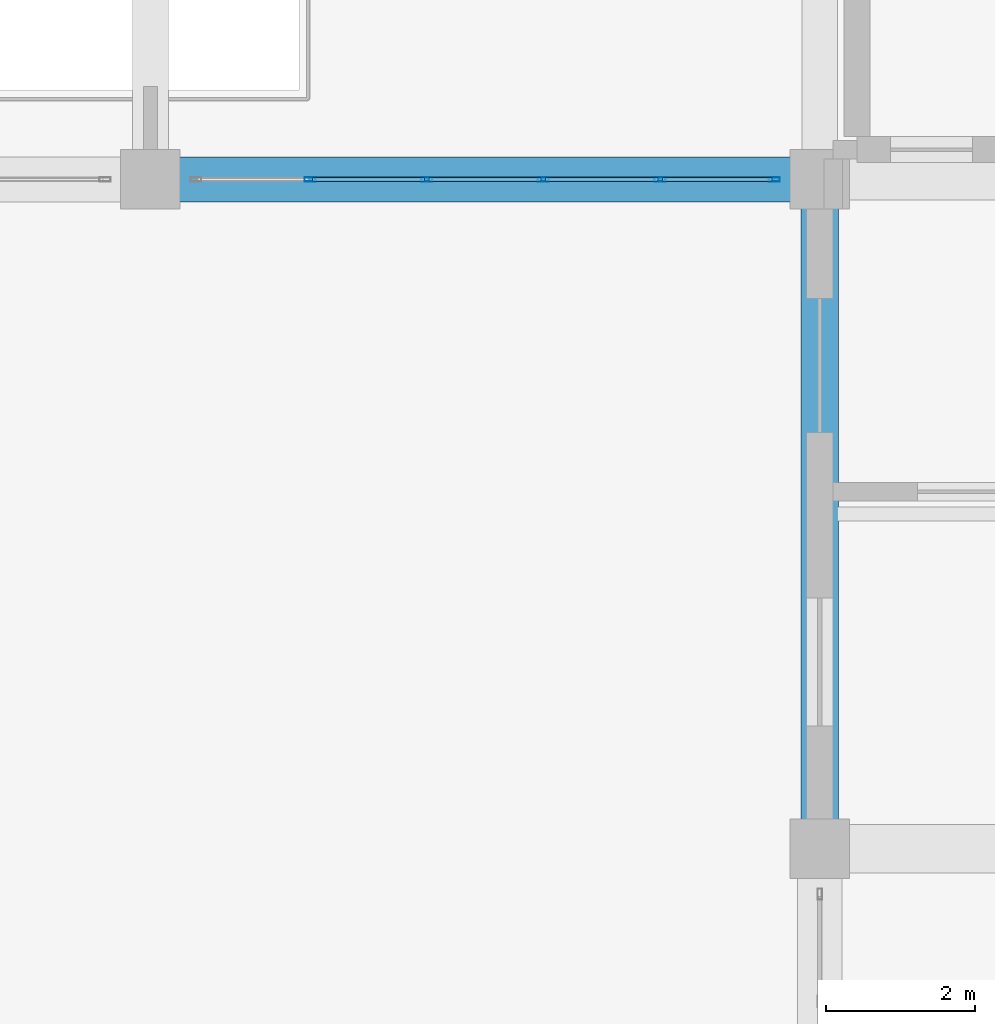
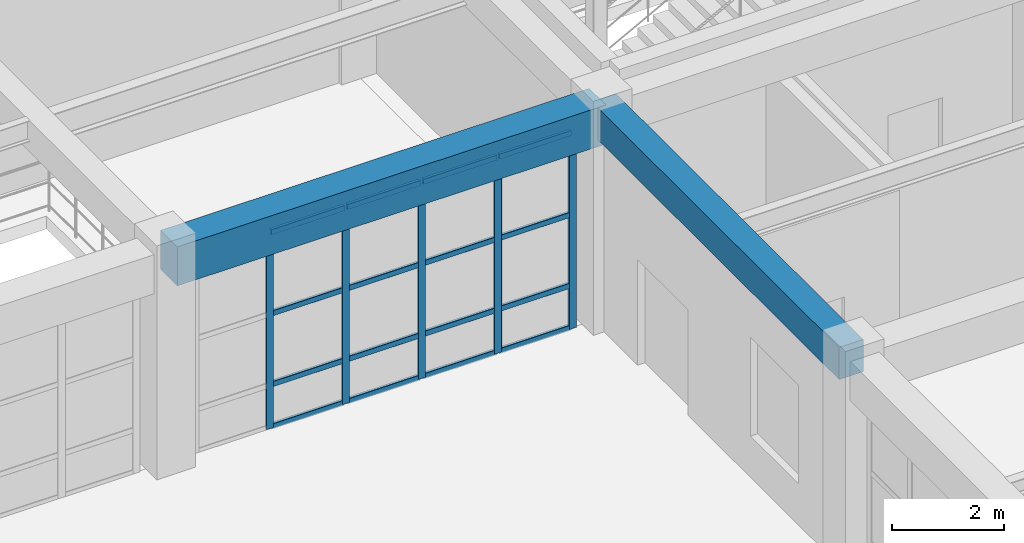
# One storey, part 66 of 128: 21 members, 2 beams, 1 element without a shape of its own.
"""IFC4 building model written with IfcOpenShell, lengths in metres."""

from ifc_helpers import new_model, si_unit, direction, frame, origin, origin_2d, place, context, subcontext, project, spatial, rectangle, hollow_rectangle, extrude, material, material_profile, profile_set, type_object, element, aggregate, save


model = new_model("IFC4")

# Units and contexts
model_context = context("Model", 3, precision=1e-05, world=origin(), true_north=direction((0.0, 1.0)))
body_context = subcontext(model_context, "Body", "Model", "MODEL_VIEW")
ifc_project = project(units=[si_unit("LENGTHUNIT", "METRE"), si_unit("AREAUNIT", "SQUARE_METRE"), si_unit("VOLUMEUNIT", "CUBIC_METRE"), si_unit("PLANEANGLEUNIT", "RADIAN"), si_unit("MASSUNIT", "GRAM", prefix="KILO")], contexts=[model_context])

# Site, building, storey
site_placement = place(None, origin())
site = spatial("IfcSite", under=ifc_project, at=site_placement, CompositionType="ELEMENT")
building_placement = place(site_placement, origin())
building = spatial("IfcBuilding", under=site, at=building_placement, Name="Miravela Opera House", CompositionType="ELEMENT")
storey_placement = place(building_placement, origin())
storey = spatial("IfcBuildingStorey", under=building, at=storey_placement, Name="L00", CompositionType="ELEMENT", Elevation=0.0)

# Curtain wall, members
ifc_material_1 = material(Name="Anodised architectural bronze aluminium 6063-T6", Category="aluminium")
curtain_wall_type = type_object("IfcCurtainWallType", Name="ARC-CW-04", PredefinedType="NOTDEFINED", material=ifc_material_1)
curtain_wall_placement = place(storey_placement, origin())
curtain_wall = element("IfcCurtainWall", 1, at=curtain_wall_placement, inside=storey, type_object=curtain_wall_type, Name="Courtyard Arcade Curtain Wall CW-L00-074", PredefinedType="NOTDEFINED")
ifc_material_profile_1 = material_profile(ifc_material_1, hollow_rectangle(XDim=0.06005859375, YDim=0.14990234375, WallThickness=0.00390625, InnerFilletRadius=0.001953125, OuterFilletRadius=0.00390625, at=origin_2d()), Name="CWM-60X150")
ifc_profile_set_1 = profile_set([ifc_material_profile_1])
member_type_1 = type_object("IfcMemberType", Name="ARC-CWM-150", PredefinedType="MULLION", material=ifc_profile_set_1)
member_1_placement = place(storey_placement, frame((56.14794921875, 103.0, 0.0), z_axis=(0.0, 0.0, 1.0), x_axis=(0.0, 1.0, 0.0)))
member_1 = element("IfcMember", 2, at=member_1_placement, type_object=member_type_1, Name="CW-04 mullion 2", PredefinedType="MULLION", context=body_context, shape_type="SweptSolid", body=[
    extrude(hollow_rectangle(XDim=0.06005859375, YDim=0.14990234375, WallThickness=0.00390625, InnerFilletRadius=0.001953125, OuterFilletRadius=0.00390625, at=origin_2d()), origin(), (0.0, 0.0, 1.0), 4.300048828125),
])
member_2_placement = place(storey_placement, frame((57.716064453125, 103.0, 0.0), z_axis=(0.0, 0.0, 1.0), x_axis=(0.0, 1.0, 0.0)))
member_2 = element("IfcMember", 3, at=member_2_placement, type_object=member_type_1, Name="CW-04 mullion 3", PredefinedType="MULLION", context=body_context, shape_type="SweptSolid", body=[
    extrude(hollow_rectangle(XDim=0.06005859375, YDim=0.14990234375, WallThickness=0.00390625, InnerFilletRadius=0.001953125, OuterFilletRadius=0.00390625, at=origin_2d()), origin(), (0.0, 0.0, 1.0), 4.300048828125),
])
member_3_placement = place(storey_placement, frame((59.283935546875, 103.0, 0.0), z_axis=(0.0, 0.0, 1.0), x_axis=(0.0, 1.0, 0.0)))
member_3 = element("IfcMember", 4, at=member_3_placement, type_object=member_type_1, Name="CW-04 mullion 4", PredefinedType="MULLION", context=body_context, shape_type="SweptSolid", body=[
    extrude(hollow_rectangle(XDim=0.06005859375, YDim=0.14990234375, WallThickness=0.00390625, InnerFilletRadius=0.001953125, OuterFilletRadius=0.00390625, at=origin_2d()), origin(), (0.0, 0.0, 1.0), 4.300048828125),
])
member_4_placement = place(storey_placement, frame((60.85205078125, 103.0, 0.0), z_axis=(0.0, 0.0, 1.0), x_axis=(0.0, 1.0, 0.0)))
member_4 = element("IfcMember", 5, at=member_4_placement, type_object=member_type_1, Name="CW-04 mullion 5", PredefinedType="MULLION", context=body_context, shape_type="SweptSolid", body=[
    extrude(hollow_rectangle(XDim=0.06005859375, YDim=0.14990234375, WallThickness=0.00390625, InnerFilletRadius=0.001953125, OuterFilletRadius=0.00390625, at=origin_2d()), origin(), (0.0, 0.0, 1.0), 4.300048828125),
])
member_5_placement = place(storey_placement, frame((62.389892578125, 103.0, 0.0), z_axis=(0.0, 0.0, 1.0), x_axis=(0.0, 1.0, 0.0)))
member_5 = element("IfcMember", 6, at=member_5_placement, type_object=member_type_1, Name="CW-04 mullion 6", PredefinedType="MULLION", context=body_context, shape_type="SweptSolid", body=[
    extrude(hollow_rectangle(XDim=0.06005859375, YDim=0.14990234375, WallThickness=0.00390625, InnerFilletRadius=0.001953125, OuterFilletRadius=0.00390625, at=origin_2d()), origin(), (0.0, 0.0, 1.0), 4.300048828125),
])
ifc_material_profile_2 = material_profile(ifc_material_1, hollow_rectangle(XDim=0.06005859375, YDim=0.114990234375, WallThickness=0.00390625, InnerFilletRadius=0.001953125, OuterFilletRadius=0.00390625, at=origin_2d()), Name="CWT-60X115")
ifc_profile_set_2 = profile_set([ifc_material_profile_2])
member_type_2 = type_object("IfcMemberType", Name="ARC-CWT-115", PredefinedType="USERDEFINED", material=ifc_profile_set_2)
member_6_placement = place(storey_placement, frame((56.177978515625, 103.0, 0.030029296875), z_axis=(1.0, 0.0, 0.0), x_axis=(0.0, 1.0, 0.0)))
member_6 = element("IfcMember", 7, at=member_6_placement, type_object=member_type_2, Name="CW-04 transom 2.1", ObjectType="TRANSOM", PredefinedType="USERDEFINED", context=body_context, shape_type="SweptSolid", body=[
    extrude(hollow_rectangle(XDim=0.06005859375, YDim=0.114990234375, WallThickness=0.00390625, InnerFilletRadius=0.001953125, OuterFilletRadius=0.00390625, at=origin_2d()), origin(), (0.0, 0.0, 1.0), 1.508056640625),
])
member_7_placement = place(storey_placement, frame((56.177978515625, 103.0, 0.949951171875), z_axis=(1.0, 0.0, 0.0), x_axis=(0.0, 1.0, 0.0)))
member_7 = element("IfcMember", 8, at=member_7_placement, type_object=member_type_2, Name="CW-04 transom 2.2", ObjectType="TRANSOM", PredefinedType="USERDEFINED", context=body_context, shape_type="SweptSolid", body=[
    extrude(hollow_rectangle(XDim=0.06005859375, YDim=0.114990234375, WallThickness=0.00390625, InnerFilletRadius=0.001953125, OuterFilletRadius=0.00390625, at=origin_2d()), origin(), (0.0, 0.0, 1.0), 1.508056640625),
])
member_8_placement = place(storey_placement, frame((56.177978515625, 103.0, 2.493896484375), z_axis=(1.0, 0.0, 0.0), x_axis=(0.0, 1.0, 0.0)))
member_8 = element("IfcMember", 9, at=member_8_placement, type_object=member_type_2, Name="CW-04 transom 2.3", ObjectType="TRANSOM", PredefinedType="USERDEFINED", context=body_context, shape_type="SweptSolid", body=[
    extrude(hollow_rectangle(XDim=0.06005859375, YDim=0.114990234375, WallThickness=0.00390625, InnerFilletRadius=0.001953125, OuterFilletRadius=0.00390625, at=origin_2d()), origin(), (0.0, 0.0, 1.0), 1.508056640625),
])
member_9_placement = place(storey_placement, frame((56.177978515625, 103.0, 4.27001953125), z_axis=(1.0, 0.0, 0.0), x_axis=(0.0, 1.0, 0.0)))
member_9 = element("IfcMember", 10, at=member_9_placement, type_object=member_type_2, Name="CW-04 transom 2.4", ObjectType="TRANSOM", PredefinedType="USERDEFINED", context=body_context, shape_type="SweptSolid", body=[
    extrude(hollow_rectangle(XDim=0.06005859375, YDim=0.114990234375, WallThickness=0.00390625, InnerFilletRadius=0.001953125, OuterFilletRadius=0.00390625, at=origin_2d()), origin(), (0.0, 0.0, 1.0), 1.508056640625),
])
member_10_placement = place(storey_placement, frame((57.74609375, 103.0, 0.030029296875), z_axis=(1.0, 0.0, 0.0), x_axis=(0.0, 1.0, 0.0)))
member_10 = element("IfcMember", 11, at=member_10_placement, type_object=member_type_2, Name="CW-04 transom 3.1", ObjectType="TRANSOM", PredefinedType="USERDEFINED", context=body_context, shape_type="SweptSolid", body=[
    extrude(hollow_rectangle(XDim=0.06005859375, YDim=0.114990234375, WallThickness=0.00390625, InnerFilletRadius=0.001953125, OuterFilletRadius=0.00390625, at=origin_2d()), origin(), (0.0, 0.0, 1.0), 1.5078125),
])
member_11_placement = place(storey_placement, frame((57.74609375, 103.0, 0.949951171875), z_axis=(1.0, 0.0, 0.0), x_axis=(0.0, 1.0, 0.0)))
member_11 = element("IfcMember", 12, at=member_11_placement, type_object=member_type_2, Name="CW-04 transom 3.2", ObjectType="TRANSOM", PredefinedType="USERDEFINED", context=body_context, shape_type="SweptSolid", body=[
    extrude(hollow_rectangle(XDim=0.06005859375, YDim=0.114990234375, WallThickness=0.00390625, InnerFilletRadius=0.001953125, OuterFilletRadius=0.00390625, at=origin_2d()), origin(), (0.0, 0.0, 1.0), 1.5078125),
])
member_12_placement = place(storey_placement, frame((57.74609375, 103.0, 2.493896484375), z_axis=(1.0, 0.0, 0.0), x_axis=(0.0, 1.0, 0.0)))
member_12 = element("IfcMember", 13, at=member_12_placement, type_object=member_type_2, Name="CW-04 transom 3.3", ObjectType="TRANSOM", PredefinedType="USERDEFINED", context=body_context, shape_type="SweptSolid", body=[
    extrude(hollow_rectangle(XDim=0.06005859375, YDim=0.114990234375, WallThickness=0.00390625, InnerFilletRadius=0.001953125, OuterFilletRadius=0.00390625, at=origin_2d()), origin(), (0.0, 0.0, 1.0), 1.5078125),
])
member_13_placement = place(storey_placement, frame((57.74609375, 103.0, 4.27001953125), z_axis=(1.0, 0.0, 0.0), x_axis=(0.0, 1.0, 0.0)))
member_13 = element("IfcMember", 14, at=member_13_placement, type_object=member_type_2, Name="CW-04 transom 3.4", ObjectType="TRANSOM", PredefinedType="USERDEFINED", context=body_context, shape_type="SweptSolid", body=[
    extrude(hollow_rectangle(XDim=0.06005859375, YDim=0.114990234375, WallThickness=0.00390625, InnerFilletRadius=0.001953125, OuterFilletRadius=0.00390625, at=origin_2d()), origin(), (0.0, 0.0, 1.0), 1.5078125),
])
member_14_placement = place(storey_placement, frame((59.31396484375, 103.0, 0.030029296875), z_axis=(1.0, 0.0, 0.0), x_axis=(0.0, 1.0, 0.0)))
member_14 = element("IfcMember", 15, at=member_14_placement, type_object=member_type_2, Name="CW-04 transom 4.1", ObjectType="TRANSOM", PredefinedType="USERDEFINED", context=body_context, shape_type="SweptSolid", body=[
    extrude(hollow_rectangle(XDim=0.06005859375, YDim=0.114990234375, WallThickness=0.00390625, InnerFilletRadius=0.001953125, OuterFilletRadius=0.00390625, at=origin_2d()), origin(), (0.0, 0.0, 1.0), 1.508056640625),
])
member_15_placement = place(storey_placement, frame((59.31396484375, 103.0, 0.949951171875), z_axis=(1.0, 0.0, 0.0), x_axis=(0.0, 1.0, 0.0)))
member_15 = element("IfcMember", 16, at=member_15_placement, type_object=member_type_2, Name="CW-04 transom 4.2", ObjectType="TRANSOM", PredefinedType="USERDEFINED", context=body_context, shape_type="SweptSolid", body=[
    extrude(hollow_rectangle(XDim=0.06005859375, YDim=0.114990234375, WallThickness=0.00390625, InnerFilletRadius=0.001953125, OuterFilletRadius=0.00390625, at=origin_2d()), origin(), (0.0, 0.0, 1.0), 1.508056640625),
])
member_16_placement = place(storey_placement, frame((59.31396484375, 103.0, 2.493896484375), z_axis=(1.0, 0.0, 0.0), x_axis=(0.0, 1.0, 0.0)))
member_16 = element("IfcMember", 17, at=member_16_placement, type_object=member_type_2, Name="CW-04 transom 4.3", ObjectType="TRANSOM", PredefinedType="USERDEFINED", context=body_context, shape_type="SweptSolid", body=[
    extrude(hollow_rectangle(XDim=0.06005859375, YDim=0.114990234375, WallThickness=0.00390625, InnerFilletRadius=0.001953125, OuterFilletRadius=0.00390625, at=origin_2d()), origin(), (0.0, 0.0, 1.0), 1.508056640625),
])
member_17_placement = place(storey_placement, frame((59.31396484375, 103.0, 4.27001953125), z_axis=(1.0, 0.0, 0.0), x_axis=(0.0, 1.0, 0.0)))
member_17 = element("IfcMember", 18, at=member_17_placement, type_object=member_type_2, Name="CW-04 transom 4.4", ObjectType="TRANSOM", PredefinedType="USERDEFINED", context=body_context, shape_type="SweptSolid", body=[
    extrude(hollow_rectangle(XDim=0.06005859375, YDim=0.114990234375, WallThickness=0.00390625, InnerFilletRadius=0.001953125, OuterFilletRadius=0.00390625, at=origin_2d()), origin(), (0.0, 0.0, 1.0), 1.508056640625),
])
member_18_placement = place(storey_placement, frame((60.882080078125, 103.0, 0.030029296875), z_axis=(1.0, 0.0, 0.0), x_axis=(0.0, 1.0, 0.0)))
member_18 = element("IfcMember", 19, at=member_18_placement, type_object=member_type_2, Name="CW-04 transom 5.1", ObjectType="TRANSOM", PredefinedType="USERDEFINED", context=body_context, shape_type="SweptSolid", body=[
    extrude(hollow_rectangle(XDim=0.06005859375, YDim=0.114990234375, WallThickness=0.00390625, InnerFilletRadius=0.001953125, OuterFilletRadius=0.00390625, at=origin_2d()), origin(), (0.0, 0.0, 1.0), 1.47802734375),
])
member_19_placement = place(storey_placement, frame((60.882080078125, 103.0, 0.949951171875), z_axis=(1.0, 0.0, 0.0), x_axis=(0.0, 1.0, 0.0)))
member_19 = element("IfcMember", 20, at=member_19_placement, type_object=member_type_2, Name="CW-04 transom 5.2", ObjectType="TRANSOM", PredefinedType="USERDEFINED", context=body_context, shape_type="SweptSolid", body=[
    extrude(hollow_rectangle(XDim=0.06005859375, YDim=0.114990234375, WallThickness=0.00390625, InnerFilletRadius=0.001953125, OuterFilletRadius=0.00390625, at=origin_2d()), origin(), (0.0, 0.0, 1.0), 1.47802734375),
])
member_20_placement = place(storey_placement, frame((60.882080078125, 103.0, 2.493896484375), z_axis=(1.0, 0.0, 0.0), x_axis=(0.0, 1.0, 0.0)))
member_20 = element("IfcMember", 21, at=member_20_placement, type_object=member_type_2, Name="CW-04 transom 5.3", ObjectType="TRANSOM", PredefinedType="USERDEFINED", context=body_context, shape_type="SweptSolid", body=[
    extrude(hollow_rectangle(XDim=0.06005859375, YDim=0.114990234375, WallThickness=0.00390625, InnerFilletRadius=0.001953125, OuterFilletRadius=0.00390625, at=origin_2d()), origin(), (0.0, 0.0, 1.0), 1.47802734375),
])
member_21_placement = place(storey_placement, frame((60.882080078125, 103.0, 4.27001953125), z_axis=(1.0, 0.0, 0.0), x_axis=(0.0, 1.0, 0.0)))
member_21 = element("IfcMember", 22, at=member_21_placement, type_object=member_type_2, Name="CW-04 transom 5.4", ObjectType="TRANSOM", PredefinedType="USERDEFINED", context=body_context, shape_type="SweptSolid", body=[
    extrude(hollow_rectangle(XDim=0.06005859375, YDim=0.114990234375, WallThickness=0.00390625, InnerFilletRadius=0.001953125, OuterFilletRadius=0.00390625, at=origin_2d()), origin(), (0.0, 0.0, 1.0), 1.47802734375),
])
aggregate(curtain_wall, [member_1, member_2, member_3, member_4, member_5, member_6, member_7, member_8, member_9, member_10, member_11, member_12, member_13, member_14, member_15, member_16, member_17, member_18, member_19, member_20, member_21])

# Beams
ifc_material_2 = material(Name="Concrete C35/45", Category="concrete")
ifc_material_profile_3 = material_profile(ifc_material_2, rectangle(XDim=0.5, YDim=0.699951171875, at=origin_2d()), Name="RC-BM-500X700")
ifc_profile_set_3 = profile_set([ifc_material_profile_3])
beam_type_1 = type_object("IfcBeamType", Name="STR-BM-RC500X700", PredefinedType="BEAM", material=ifc_profile_set_3)
beam_1_placement = place(storey_placement, frame((63.0, 94.080078125, 4.5), z_axis=(0.0, 1.0, 0.0), x_axis=(-1.0, 0.0, 0.0)))
element("IfcBeam", 23, at=beam_1_placement, inside=storey, type_object=beam_type_1, Name="Floor Girder L00 8/K-L", PredefinedType="BEAM", context=body_context, shape_type="SweptSolid", body=[
    extrude(rectangle(XDim=0.5, YDim=0.699951171875, at=origin_2d()), origin(), (0.0, 0.0, 1.0), 8.83984375),
])
ifc_material_3 = material(Name="Concrete C40/50", Category="concrete")
ifc_material_profile_4 = material_profile(ifc_material_3, rectangle(XDim=0.60009765625, YDim=0.85009765625, at=origin_2d()), Name="RC-BM-600X850")
ifc_profile_set_4 = profile_set([ifc_material_profile_4])
beam_type_2 = type_object("IfcBeamType", Name="STR-BM-RC600X850", PredefinedType="BEAM", material=ifc_profile_set_4)
beam_2_placement = place(storey_placement, frame((54.080078125, 103.0, 4.425048828125), z_axis=(1.0, 0.0, 0.0), x_axis=(0.0, 1.0, 0.0)))
element("IfcBeam", 24, at=beam_2_placement, inside=storey, type_object=beam_type_2, Name="Floor Girder L00 7-8/L", PredefinedType="BEAM", context=body_context, shape_type="SweptSolid", body=[
    extrude(rectangle(XDim=0.60009765625, YDim=0.85009765625, at=origin_2d()), origin(), (0.0, 0.0, 1.0), 8.83984375),
])

save(model, "model.ifc")
